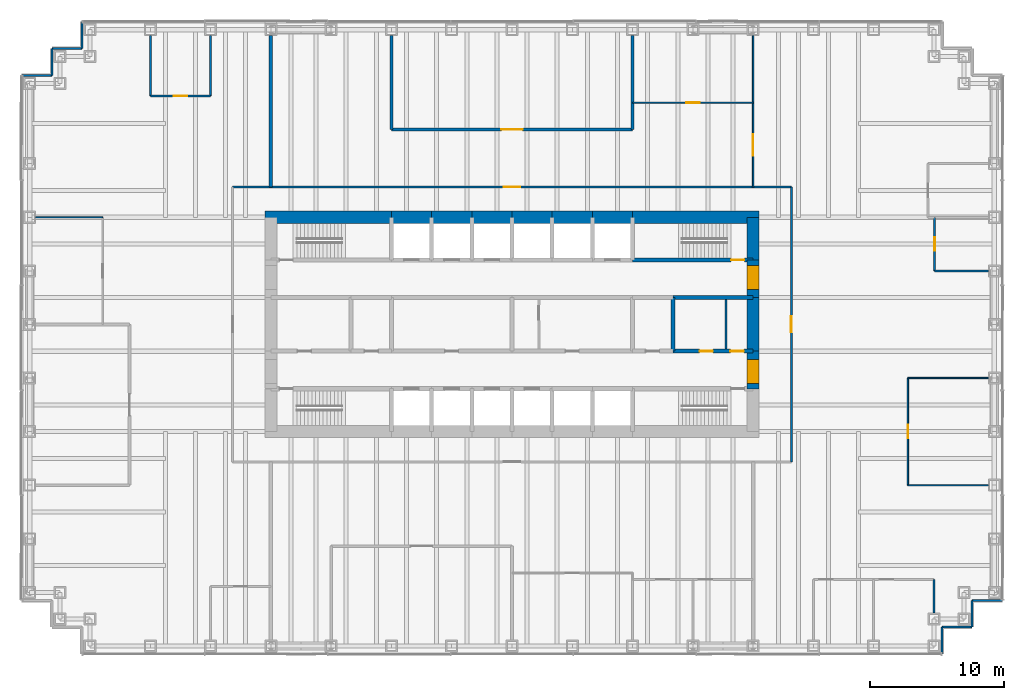
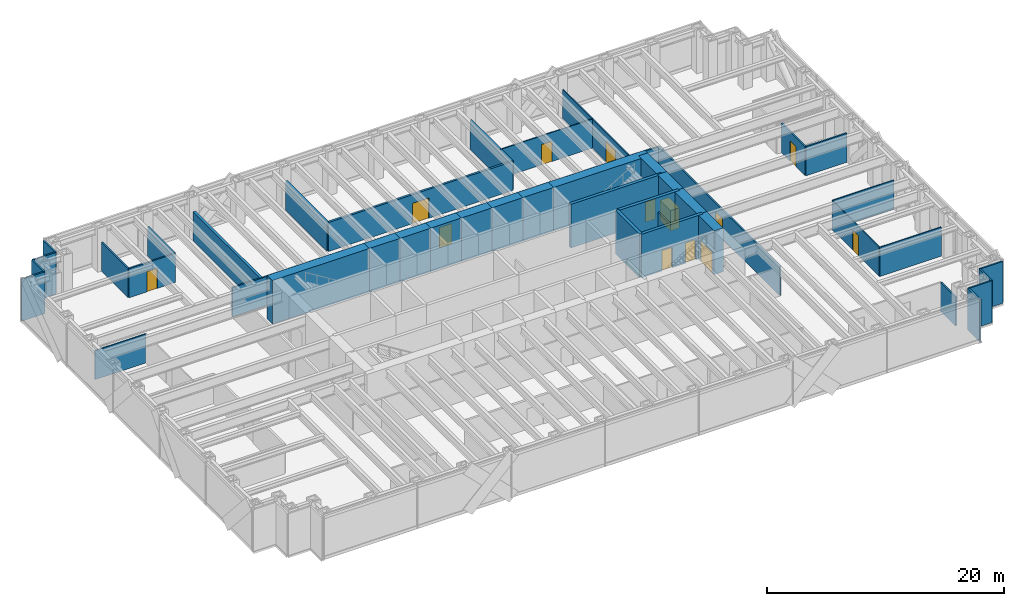
# One storey, part 11 of 13: 43 walls, 13 doors, 13 openings.
"""IFC4 building model written with IfcOpenShell, lengths in metres."""

from ifc_helpers import new_model, si_unit, direction, frame, frame_2d, origin, place, context, subcontext, project, spatial, rectangle, extrude, material, layer, layer_set, type_object, element, fill, save


model = new_model("IFC4")

# Units and contexts
model_context = context("Model", 3, precision=1e-05, world=origin(), true_north=direction((0.0, 1.0)))
body_context = subcontext(model_context, "Body", "Model", "MODEL_VIEW")
ifc_project = project(units=[si_unit("LENGTHUNIT", "METRE"), si_unit("AREAUNIT", "SQUARE_METRE"), si_unit("VOLUMEUNIT", "CUBIC_METRE"), si_unit("PLANEANGLEUNIT", "RADIAN"), si_unit("MASSUNIT", "GRAM", prefix="KILO")], contexts=[model_context])

# Site, building, storey
site_placement = place(None, origin())
site = spatial("IfcSite", under=ifc_project, at=site_placement, CompositionType="ELEMENT")
building_placement = place(site_placement, origin())
building = spatial("IfcBuilding", under=site, at=building_placement, Name="Rheinbord Bourse Tower", CompositionType="ELEMENT")
storey_placement = place(building_placement, frame((0.0, 0.0, 77.0)))
storey = spatial("IfcBuildingStorey", under=building, at=storey_placement, Name="L16", CompositionType="ELEMENT", Elevation=77.0)

# Wall, opening, door
ifc_material_1 = material(Name="Acoustic gypsum board partition", Category="gypsum board")
ifc_layer_1 = layer(ifc_material_1, 0.199951171875)
ifc_layer_set_1 = layer_set([ifc_layer_1], Name="ACOUSTIC PARTITION 200")
wall_type_1 = type_object("IfcWallType", Name="ACOUSTIC PARTITION 200", PredefinedType="PARTITIONING", material=ifc_layer_set_1)
wall_1_placement = place(storey_placement, frame((27.0, 38.550048828125, 0.0), z_axis=(0.0, 0.0, 1.0), x_axis=(1.0, 0.0, 0.0)))
wall_1 = element("IfcWall", 1, at=wall_1_placement, inside=storey, type_object=wall_type_1, Name="Partition L16-18", PredefinedType="PARTITIONING", context=body_context, shape_type="SweptSolid", body=[
    extrude(rectangle(XDim=18.0, YDim=0.199951171875, at=frame_2d((9.0, 0.0))), origin(), (0.0, 0.0, 1.0), 3.0),
])
opening_1_placement = place(wall_1_placement, frame((8.199951171875, 0.0, 0.0)))
opening_1 = element("IfcOpeningElement", 2, at=opening_1_placement, cuts=wall_1, Name="Opening 16D13", PredefinedType="OPENING", context=body_context, shape_type="SweptSolid", body=[
    extrude(rectangle(XDim=1.60009765625, YDim=2.10009765625, at=frame_2d((0.800048828125, 1.050048828125))), frame((0.0, 0.10986328125, 0.0), z_axis=(0.0, -1.0, 0.0), x_axis=(1.0, 0.0, 0.0)), (0.0, 0.0, 1.0), 0.219970703125),
])
ifc_material_2 = material(Name="Timber door", Category="wood")
door_type_1 = type_object("IfcDoorType", Name="DOUBLE ROOM DOOR 1600", OperationType="DOUBLE_DOOR_DOUBLE_SWING", PredefinedType="DOOR", material=ifc_material_2)
door_1_placement = place(opening_1_placement, origin())
door_1 = element("IfcDoor", 3, at=door_1_placement, inside=storey, type_object=door_type_1, Name="Trading room door L16", OperationType="SINGLE_SWING_LEFT", OverallHeight=2.10009765625, OverallWidth=1.60009765625, PredefinedType="DOOR", context=body_context, shape_type="SweptSolid", body=[
    extrude(rectangle(XDim=1.60009765625, YDim=2.10009765625, at=frame_2d((0.800048828125, 1.050048828125))), frame((0.0, 0.02490234375, 0.0), z_axis=(0.0, -1.0, 0.0), x_axis=(1.0, 0.0, 0.0)), (0.0, 0.0, 1.0), 0.050048828125),
])
fill(opening_1, door_1)

# Walls
for number, where, z_axis, x_axis, name in (
    (4, (27.0, 38.550048828125, 0.0), (0.0, 0.0, 1.0), (0.0, 1.0, 0.0), "Partition L16-30"),
    (5, (45.0, 38.550048828125, 0.0), (0.0, 0.0, 1.0), (0.0, 1.0, 0.0), "Partition L16-34"),
):
    element("IfcWall", number, at=place(storey_placement, frame(where, z_axis=z_axis, x_axis=x_axis)), inside=storey, type_object=wall_type_1, Name=name, PredefinedType="PARTITIONING", context=body_context, shape_type="SweptSolid", body=[
        extrude(rectangle(XDim=7.0, YDim=0.199951171875, at=frame_2d((3.5, 0.0))), origin(), (0.0, 0.0, 1.0), 3.0),
    ])

# Wall, opening, door
ifc_material_3 = material(Name="Concrete C50/60", Category="concrete")
ifc_layer_2 = layer(ifc_material_3, 0.300048828125)
ifc_layer_set_2 = layer_set([ifc_layer_2], Name="CORE INNER WALL 300")
wall_type_2 = type_object("IfcWallType", Name="CORE INNER WALL 300", PredefinedType="SOLIDWALL", material=ifc_layer_set_2)
wall_2_placement = place(storey_placement, frame((45.0, 28.800048828125, 0.0), z_axis=(0.0, 0.0, 1.0), x_axis=(1.0, 0.0, 0.0)))
wall_2 = element("IfcWall", 6, at=wall_2_placement, inside=storey, type_object=wall_type_2, Name="Core wall B8 L16", PredefinedType="SOLIDWALL", context=body_context, shape_type="SweptSolid", body=[
    extrude(rectangle(XDim=9.0, YDim=0.300048828125, at=frame_2d((4.5, 0.0))), origin(), (0.0, 0.0, 1.0), 4.5),
])
opening_2_placement = place(wall_2_placement, frame((7.35009765625, 0.0, 0.0)))
opening_2 = element("IfcOpeningElement", 7, at=opening_2_placement, cuts=wall_2, Name="Opening 1640", PredefinedType="OPENING", context=body_context, shape_type="SweptSolid", body=[
    extrude(rectangle(XDim=1.0, YDim=2.10009765625, at=frame_2d((0.5, 1.050048828125))), frame((0.0, 0.159912109375, 0.0), z_axis=(0.0, -1.0, 0.0), x_axis=(1.0, 0.0, 0.0)), (0.0, 0.0, 1.0), 0.320068359375),
])
ifc_material_4 = material(Name="Steel door", Category="steel")
door_type_2 = type_object("IfcDoorType", Name="DOOR 1000 EI30", OperationType="SINGLE_SWING_LEFT", PredefinedType="DOOR", material=ifc_material_4)
door_2_placement = place(opening_2_placement, origin())
door_2 = element("IfcDoor", 8, at=door_2_placement, inside=storey, type_object=door_type_2, Name="Stair door ST4 L16", OperationType="SINGLE_SWING_RIGHT", OverallHeight=2.10009765625, OverallWidth=1.0, PredefinedType="DOOR", context=body_context, shape_type="SweptSolid", body=[
    extrude(rectangle(XDim=1.0, YDim=2.10009765625, at=frame_2d((0.5, 1.050048828125))), frame((0.0, 0.02490234375, 0.0), z_axis=(0.0, -1.0, 0.0), x_axis=(1.0, 0.0, 0.0)), (0.0, 0.0, 1.0), 0.050048828125),
])
fill(opening_2, door_2)

# Wall, openings, doors
wall_3_placement = place(storey_placement, frame((48.0, 22.0, 0.0), z_axis=(0.0, 0.0, 1.0), x_axis=(1.0, 0.0, 0.0)))
wall_3 = element("IfcWall", 9, at=wall_3_placement, inside=storey, type_object=wall_type_2, Name="Core wall C6 L16", PredefinedType="SOLIDWALL", context=body_context, shape_type="SweptSolid", body=[
    extrude(rectangle(XDim=6.0, YDim=0.300048828125, at=frame_2d((3.0, 0.0))), origin(), (0.0, 0.0, 1.0), 4.5),
])
opening_3_placement = place(wall_3_placement, frame((2.0, 0.0, 0.0)))
opening_3 = element("IfcOpeningElement", 10, at=opening_3_placement, cuts=wall_3, Name="Opening 16R6", PredefinedType="OPENING", context=body_context, shape_type="SweptSolid", body=[
    extrude(rectangle(XDim=1.0, YDim=2.10009765625, at=frame_2d((0.5, 1.050048828125))), frame((0.0, 0.159912109375, 0.0), z_axis=(0.0, -1.0, 0.0), x_axis=(1.0, 0.0, 0.0)), (0.0, 0.0, 1.0), 0.320068359375),
])
opening_4_placement = place(wall_3_placement, frame((4.300048828125, 0.0, 0.0)))
opening_4 = element("IfcOpeningElement", 11, at=opening_4_placement, cuts=wall_3, Name="Opening 16R10", PredefinedType="OPENING", context=body_context, shape_type="SweptSolid", body=[
    extrude(rectangle(XDim=1.0, YDim=2.10009765625, at=frame_2d((0.5, 1.050048828125))), frame((0.0, 0.159912109375, 0.0), z_axis=(0.0, -1.0, 0.0), x_axis=(1.0, 0.0, 0.0)), (0.0, 0.0, 1.0), 0.320068359375),
])
door_3_placement = place(opening_4_placement, origin())
door_3 = element("IfcDoor", 12, at=door_3_placement, inside=storey, type_object=door_type_2, Name="Cleaner's store door L16", OperationType="SINGLE_SWING_RIGHT", OverallHeight=2.10009765625, OverallWidth=1.0, PredefinedType="DOOR", context=body_context, shape_type="SweptSolid", body=[
    extrude(rectangle(XDim=1.0, YDim=2.10009765625, at=frame_2d((0.5, 1.050048828125))), frame((0.0, 0.02490234375, 0.0), z_axis=(0.0, -1.0, 0.0), x_axis=(1.0, 0.0, 0.0)), (0.0, 0.0, 1.0), 0.050048828125),
])
fill(opening_4, door_3)
ifc_material_5 = material(Name="Timber door", Category="wood")
door_type_3 = type_object("IfcDoorType", Name="DOOR 1000 WC", OperationType="SINGLE_SWING_LEFT", PredefinedType="DOOR", material=ifc_material_5)
door_4_placement = place(opening_3_placement, origin())
door_4 = element("IfcDoor", 13, at=door_4_placement, inside=storey, type_object=door_type_3, Name="WC women door L16", OperationType="SINGLE_SWING_LEFT", OverallHeight=2.10009765625, OverallWidth=1.0, PredefinedType="DOOR", context=body_context, shape_type="SweptSolid", body=[
    extrude(rectangle(XDim=1.0, YDim=2.10009765625, at=frame_2d((0.5, 1.050048828125))), frame((0.0, 0.02490234375, 0.0), z_axis=(0.0, -1.0, 0.0), x_axis=(1.0, 0.0, 0.0)), (0.0, 0.0, 1.0), 0.050048828125),
])
fill(opening_3, door_4)

# Walls
wall_4_placement = place(storey_placement, frame((48.0, 26.0, 0.0), z_axis=(0.0, 0.0, 1.0), x_axis=(1.0, 0.0, 0.0)))
element("IfcWall", 14, at=wall_4_placement, inside=storey, type_object=wall_type_2, Name="Core wall D6 L16", PredefinedType="SOLIDWALL", context=body_context, shape_type="SweptSolid", body=[
    extrude(rectangle(XDim=6.0, YDim=0.300048828125, at=frame_2d((3.0, 0.0))), origin(), (0.0, 0.0, 1.0), 4.5),
])
wall_5_placement = place(storey_placement, frame((48.0, 22.0, 0.0), z_axis=(0.0, 0.0, 1.0), x_axis=(0.0, 1.0, 0.0)))
element("IfcWall", 15, at=wall_5_placement, inside=storey, type_object=wall_type_2, Name="Core wall MX48 L16", PredefinedType="SOLIDWALL", context=body_context, shape_type="SweptSolid", body=[
    extrude(rectangle(XDim=4.0, YDim=0.300048828125, at=frame_2d((2.0, 0.0))), origin(), (0.0, 0.0, 1.0), 4.5),
])
ifc_material_6 = material(Name="Gypsum board fire partition", Category="gypsum board")
ifc_layer_3 = layer(ifc_material_6, 0.14990234375)
ifc_layer_set_3 = layer_set([ifc_layer_3], Name="CORE PARTITION 150 EI30")
wall_type_3 = type_object("IfcWallType", Name="CORE PARTITION 150 EI30", PredefinedType="PARTITIONING", material=ifc_layer_set_3)
wall_6_placement = place(storey_placement, frame((51.97509765625, 22.14990234375, 0.0), z_axis=(0.0, 0.0, 1.0), x_axis=(0.0, 1.0, 0.0)))
element("IfcWall", 16, at=wall_6_placement, inside=storey, type_object=wall_type_3, Name="Core partition L16-3", PredefinedType="PARTITIONING", context=body_context, shape_type="SweptSolid", body=[
    extrude(rectangle(XDim=3.7001953125, YDim=0.14990234375, at=frame_2d((1.85009765625, 0.0))), origin(), (0.0, 0.0, 1.0), 3.0),
])
ifc_material_7 = material(Name="Concrete C50/60", Category="concrete")
ifc_layer_4 = layer(ifc_material_7, 0.89990234375)
ifc_layer_set_4 = layer_set([ifc_layer_4], Name="CORE WALL 900")
wall_type_4 = type_object("IfcWallType", Name="CORE WALL 900", PredefinedType="SHEAR", material=ifc_layer_set_4)
wall_7_placement = place(storey_placement, frame((54.449951171875, 32.0, 0.0), z_axis=(0.0, 0.0, 1.0), x_axis=(-1.0, 0.0, 0.0)))
element("IfcWall", 17, at=wall_7_placement, inside=storey, type_object=wall_type_4, Name="Core wall N1 L16", PredefinedType="SHEAR", context=body_context, shape_type="SweptSolid", body=[
    extrude(rectangle(XDim=9.449951171875, YDim=0.89990234375, at=frame_2d((4.72509765625, 0.0))), origin(), (0.0, 0.0, 1.0), 4.5),
])
for number, where, z_axis, x_axis, name in (
    (18, (45.0, 32.0, 0.0), (0.0, 0.0, 1.0), (-1.0, 0.0, 0.0), "Core wall N2 L16"),
    (19, (42.0, 32.0, 0.0), (0.0, 0.0, 1.0), (-1.0, 0.0, 0.0), "Core wall N3 L16"),
    (20, (39.0, 32.0, 0.0), (0.0, 0.0, 1.0), (-1.0, 0.0, 0.0), "Core wall N4 L16"),
    (21, (36.0, 32.0, 0.0), (0.0, 0.0, 1.0), (-1.0, 0.0, 0.0), "Core wall N5 L16"),
    (22, (33.0, 32.0, 0.0), (0.0, 0.0, 1.0), (-1.0, 0.0, 0.0), "Core wall N6 L16"),
    (23, (30.0, 32.0, 0.0), (0.0, 0.0, 1.0), (-1.0, 0.0, 0.0), "Core wall N7 L16"),
):
    element("IfcWall", number, at=place(storey_placement, frame(where, z_axis=z_axis, x_axis=x_axis)), inside=storey, type_object=wall_type_4, Name=name, PredefinedType="SHEAR", context=body_context, shape_type="SweptSolid", body=[
        extrude(rectangle(XDim=3.0, YDim=0.89990234375, at=frame_2d((1.5, 0.0))), origin(), (0.0, 0.0, 1.0), 4.5),
    ])
wall_8_placement = place(storey_placement, frame((27.0, 32.0, 0.0), z_axis=(0.0, 0.0, 1.0), x_axis=(-1.0, 0.0, 0.0)))
element("IfcWall", 24, at=wall_8_placement, inside=storey, type_object=wall_type_4, Name="Core wall N8 L16", PredefinedType="SHEAR", context=body_context, shape_type="SweptSolid", body=[
    extrude(rectangle(XDim=9.449951171875, YDim=0.89990234375, at=frame_2d((4.72509765625, 0.0))), origin(), (0.0, 0.0, 1.0), 4.5),
])

# Wall, opening, door
wall_9_placement = place(storey_placement, frame((54.0, 19.199951171875, 0.0), z_axis=(0.0, 0.0, 1.0), x_axis=(0.0, 1.0, 0.0)))
wall_9 = element("IfcWall", 25, at=wall_9_placement, inside=storey, type_object=wall_type_4, Name="Core wall E2 L16", PredefinedType="SHEAR", context=body_context, shape_type="SweptSolid", body=[
    extrude(rectangle(XDim=2.800048828125, YDim=0.89990234375, at=frame_2d((1.39990234375, 0.0))), origin(), (0.0, 0.0, 1.0), 4.5),
])
opening_5_placement = place(wall_9_placement, frame((0.39990234375, 0.0, 0.0)))
opening_5 = element("IfcOpeningElement", 26, at=opening_5_placement, cuts=wall_9, Name="Opening 16L3", PredefinedType="OPENING", context=body_context, shape_type="SweptSolid", body=[
    extrude(rectangle(XDim=1.800048828125, YDim=2.10009765625, at=frame_2d((0.89990234375, 1.050048828125))), frame((0.0, 0.4599609375, 0.0), z_axis=(0.0, -1.0, 0.0), x_axis=(1.0, 0.0, 0.0)), (0.0, 0.0, 1.0), 0.919921875),
])
ifc_material_8 = material(Name="Steel door", Category="steel")
door_type_4 = type_object("IfcDoorType", Name="DOOR 1800 EI30 DOUBLE", OperationType="DOUBLE_DOOR_DOUBLE_SWING", PredefinedType="DOOR", material=ifc_material_8)
door_5_placement = place(opening_5_placement, origin())
door_5 = element("IfcDoor", 27, at=door_5_placement, inside=storey, type_object=door_type_4, Name="Lobby door 3 L16", OperationType="SINGLE_SWING_LEFT", OverallHeight=2.10009765625, OverallWidth=1.800048828125, PredefinedType="DOOR", context=body_context, shape_type="SweptSolid", body=[
    extrude(rectangle(XDim=1.800048828125, YDim=2.10009765625, at=frame_2d((0.89990234375, 1.050048828125))), frame((0.0, 0.44970703125, 0.0), z_axis=(0.0, -1.0, 0.0), x_axis=(1.0, 0.0, 0.0)), (0.0, 0.0, 1.0), 0.8994140625),
])
fill(opening_5, door_5)

# Wall
wall_10_placement = place(storey_placement, frame((54.0, 22.0, 0.0), z_axis=(0.0, 0.0, 1.0), x_axis=(0.0, 1.0, 0.0)))
element("IfcWall", 28, at=wall_10_placement, inside=storey, type_object=wall_type_4, Name="Core wall E3 L16", PredefinedType="SHEAR", context=body_context, shape_type="SweptSolid", body=[
    extrude(rectangle(XDim=4.0, YDim=0.89990234375, at=frame_2d((2.0, 0.0))), origin(), (0.0, 0.0, 1.0), 4.5),
])

# Wall, opening, door
wall_11_placement = place(storey_placement, frame((54.0, 26.0, 0.0), z_axis=(0.0, 0.0, 1.0), x_axis=(0.0, 1.0, 0.0)))
wall_11 = element("IfcWall", 29, at=wall_11_placement, inside=storey, type_object=wall_type_4, Name="Core wall E4 L16", PredefinedType="SHEAR", context=body_context, shape_type="SweptSolid", body=[
    extrude(rectangle(XDim=2.800048828125, YDim=0.89990234375, at=frame_2d((1.39990234375, 0.0))), origin(), (0.0, 0.0, 1.0), 4.5),
])
opening_6_placement = place(wall_11_placement, frame((0.60009765625, 0.0, 0.0)))
opening_6 = element("IfcOpeningElement", 30, at=opening_6_placement, cuts=wall_11, Name="Opening 16L4", PredefinedType="OPENING", context=body_context, shape_type="SweptSolid", body=[
    extrude(rectangle(XDim=1.800048828125, YDim=2.10009765625, at=frame_2d((0.89990234375, 1.050048828125))), frame((0.0, 0.4599609375, 0.0), z_axis=(0.0, -1.0, 0.0), x_axis=(1.0, 0.0, 0.0)), (0.0, 0.0, 1.0), 0.919921875),
])
door_6_placement = place(opening_6_placement, origin())
door_6 = element("IfcDoor", 31, at=door_6_placement, inside=storey, type_object=door_type_4, Name="Lobby door 4 L16", OperationType="SINGLE_SWING_LEFT", OverallHeight=2.10009765625, OverallWidth=1.800048828125, PredefinedType="DOOR", context=body_context, shape_type="SweptSolid", body=[
    extrude(rectangle(XDim=1.800048828125, YDim=2.10009765625, at=frame_2d((0.89990234375, 1.050048828125))), frame((0.0, 0.44970703125, 0.0), z_axis=(0.0, -1.0, 0.0), x_axis=(1.0, 0.0, 0.0)), (0.0, 0.0, 1.0), 0.8994140625),
])
fill(opening_6, door_6)

# Walls
wall_12_placement = place(storey_placement, frame((54.0, 28.800048828125, 0.0), z_axis=(0.0, 0.0, 1.0), x_axis=(0.0, 1.0, 0.0)))
element("IfcWall", 32, at=wall_12_placement, inside=storey, type_object=wall_type_4, Name="Core wall E5 L16", PredefinedType="SHEAR", context=body_context, shape_type="SweptSolid", body=[
    extrude(rectangle(XDim=3.199951171875, YDim=0.89990234375, at=frame_2d((1.60009765625, 0.0))), origin(), (0.0, 0.0, 1.0), 4.5),
])
ifc_material_9 = material(Name="Black metal rainscreen panel", Category="aluminium")
ifc_layer_5 = layer(ifc_material_9, 0.14990234375)
ifc_layer_set_5 = layer_set([ifc_layer_5], Name="CORNER PIER CLADDING 150")
wall_type_5 = type_object("IfcWallType", Name="CORNER PIER CLADDING 150", PredefinedType="ELEMENTEDWALL", material=ifc_layer_set_5)
wall_13_placement = place(storey_placement, frame((68.10009765625, -0.60009765625, 0.0), z_axis=(0.0, 0.0, 1.0), x_axis=(0.0, 1.0, 0.0)))
element("IfcWall", 33, at=wall_13_placement, inside=storey, type_object=wall_type_5, Name="Corner pier cladding L16 2", PredefinedType="ELEMENTEDWALL", context=body_context, shape_type="SweptSolid", body=[
    extrude(rectangle(XDim=2.0, YDim=0.14990234375, at=frame_2d((1.0, 0.0))), origin(), (0.0, 0.0, 1.0), 4.320068359375),
])
wall_14_placement = place(storey_placement, frame((68.10009765625, 1.39990234375, 0.0), z_axis=(0.0, 0.0, 1.0), x_axis=(1.0, 0.0, 0.0)))
element("IfcWall", 34, at=wall_14_placement, inside=storey, type_object=wall_type_5, Name="Corner pier cladding L16 3", PredefinedType="ELEMENTEDWALL", context=body_context, shape_type="SweptSolid", body=[
    extrude(rectangle(XDim=2.25, YDim=0.14990234375, at=frame_2d((1.125, 0.0))), origin(), (0.0, 0.0, 1.0), 4.320068359375),
])
wall_15_placement = place(storey_placement, frame((70.35009765625, 1.39990234375, 0.0), z_axis=(0.0, 0.0, 1.0), x_axis=(0.0, 1.0, 0.0)))
element("IfcWall", 35, at=wall_15_placement, inside=storey, type_object=wall_type_5, Name="Corner pier cladding L16 4", PredefinedType="ELEMENTEDWALL", context=body_context, shape_type="SweptSolid", body=[
    extrude(rectangle(XDim=2.0, YDim=0.14990234375, at=frame_2d((1.0, 0.0))), origin(), (0.0, 0.0, 1.0), 4.320068359375),
])
wall_16_placement = place(storey_placement, frame((70.35009765625, 3.39990234375, 0.0), z_axis=(0.0, 0.0, 1.0), x_axis=(1.0, 0.0, 0.0)))
element("IfcWall", 36, at=wall_16_placement, inside=storey, type_object=wall_type_5, Name="Corner pier cladding L16 5", PredefinedType="ELEMENTEDWALL", context=body_context, shape_type="SweptSolid", body=[
    extrude(rectangle(XDim=2.25, YDim=0.14990234375, at=frame_2d((1.125, 0.0))), origin(), (0.0, 0.0, 1.0), 4.320068359375),
])
wall_17_placement = place(storey_placement, frame((3.89990234375, 46.60009765625, 0.0), z_axis=(0.0, 0.0, 1.0), x_axis=(0.0, -1.0, 0.0)))
element("IfcWall", 37, at=wall_17_placement, inside=storey, type_object=wall_type_5, Name="Corner pier cladding L16 12", PredefinedType="ELEMENTEDWALL", context=body_context, shape_type="SweptSolid", body=[
    extrude(rectangle(XDim=2.0, YDim=0.14990234375, at=frame_2d((1.0, 0.0))), origin(), (0.0, 0.0, 1.0), 4.320068359375),
])
wall_18_placement = place(storey_placement, frame((3.89990234375, 44.60009765625, 0.0), z_axis=(0.0, 0.0, 1.0), x_axis=(-1.0, 0.0, 0.0)))
element("IfcWall", 38, at=wall_18_placement, inside=storey, type_object=wall_type_5, Name="Corner pier cladding L16 13", PredefinedType="ELEMENTEDWALL", context=body_context, shape_type="SweptSolid", body=[
    extrude(rectangle(XDim=2.25, YDim=0.14990234375, at=frame_2d((1.125, 0.0))), origin(), (0.0, 0.0, 1.0), 4.320068359375),
])
wall_19_placement = place(storey_placement, frame((1.64990234375, 44.60009765625, 0.0), z_axis=(0.0, 0.0, 1.0), x_axis=(0.0, -1.0, 0.0)))
element("IfcWall", 39, at=wall_19_placement, inside=storey, type_object=wall_type_5, Name="Corner pier cladding L16 14", PredefinedType="ELEMENTEDWALL", context=body_context, shape_type="SweptSolid", body=[
    extrude(rectangle(XDim=2.0, YDim=0.14990234375, at=frame_2d((1.0, 0.0))), origin(), (0.0, 0.0, 1.0), 4.320068359375),
])
wall_20_placement = place(storey_placement, frame((1.64990234375, 42.60009765625, 0.0), z_axis=(0.0, 0.0, 1.0), x_axis=(-1.0, 0.0, 0.0)))
element("IfcWall", 40, at=wall_20_placement, inside=storey, type_object=wall_type_5, Name="Corner pier cladding L16 15", PredefinedType="ELEMENTEDWALL", context=body_context, shape_type="SweptSolid", body=[
    extrude(rectangle(XDim=2.25, YDim=0.14990234375, at=frame_2d((1.125, 0.0))), origin(), (0.0, 0.0, 1.0), 4.320068359375),
])

# Wall, opening, door
ifc_material_10 = material(Name="Gypsum board corridor partition", Category="gypsum board")
ifc_layer_6 = layer(ifc_material_10, 0.14990234375)
ifc_layer_set_6 = layer_set([ifc_layer_6], Name="CORRIDOR PARTITION 150 EI30")
wall_type_6 = type_object("IfcWallType", Name="CORRIDOR PARTITION 150 EI30", PredefinedType="PARTITIONING", material=ifc_layer_set_6)
wall_21_placement = place(storey_placement, frame((15.14990234375, 34.25, 0.0), z_axis=(0.0, 0.0, 1.0), x_axis=(1.0, 0.0, 0.0)))
wall_21 = element("IfcWall", 41, at=wall_21_placement, inside=storey, type_object=wall_type_6, Name="Partition L16-16", PredefinedType="PARTITIONING", context=body_context, shape_type="SweptSolid", body=[
    extrude(rectangle(XDim=41.7001953125, YDim=0.14990234375, at=frame_2d((20.85009765625, 0.0))), origin(), (0.0, 0.0, 1.0), 3.0),
])
opening_7_placement = place(wall_21_placement, frame((20.25, 0.0, 0.0)))
opening_7 = element("IfcOpeningElement", 42, at=opening_7_placement, cuts=wall_21, Name="Opening 16D19", PredefinedType="OPENING", context=body_context, shape_type="SweptSolid", body=[
    extrude(rectangle(XDim=1.199951171875, YDim=2.10009765625, at=frame_2d((0.60009765625, 1.050048828125))), frame((0.0, 0.0849609375, 0.0), z_axis=(0.0, -1.0, 0.0), x_axis=(1.0, 0.0, 0.0)), (0.0, 0.0, 1.0), 0.169921875),
])
ifc_material_11 = material(Name="Timber fire door", Category="wood")
door_type_5 = type_object("IfcDoorType", Name="SUITE ENTRANCE DOOR 1200 EI30", OperationType="SINGLE_SWING_LEFT", PredefinedType="DOOR", material=ifc_material_11)
door_7_placement = place(opening_7_placement, origin())
door_7 = element("IfcDoor", 43, at=door_7_placement, inside=storey, type_object=door_type_5, Name="Suite entrance 3 door L16", OperationType="SINGLE_SWING_LEFT", OverallHeight=2.10009765625, OverallWidth=1.199951171875, PredefinedType="DOOR", context=body_context, shape_type="SweptSolid", body=[
    extrude(rectangle(XDim=1.199951171875, YDim=2.10009765625, at=frame_2d((0.60009765625, 1.050048828125))), frame((0.0, 0.02490234375, 0.0), z_axis=(0.0, -1.0, 0.0), x_axis=(1.0, 0.0, 0.0)), (0.0, 0.0, 1.0), 0.050048828125),
])
fill(opening_7, door_7)

wall_22_placement = place(storey_placement, frame((56.85009765625, 13.75, 0.0), z_axis=(0.0, 0.0, 1.0), x_axis=(0.0, 1.0, 0.0)))
wall_22 = element("IfcWall", 44, at=wall_22_placement, inside=storey, type_object=wall_type_6, Name="Partition L16-38", PredefinedType="PARTITIONING", context=body_context, shape_type="SweptSolid", body=[
    extrude(rectangle(XDim=20.5, YDim=0.14990234375, at=frame_2d((10.25, 0.0))), origin(), (0.0, 0.0, 1.0), 3.0),
])
opening_8_placement = place(wall_22_placement, frame((9.64990234375, 0.0, 0.0)))
opening_8 = element("IfcOpeningElement", 45, at=opening_8_placement, cuts=wall_22, Name="Opening 16D20", PredefinedType="OPENING", context=body_context, shape_type="SweptSolid", body=[
    extrude(rectangle(XDim=1.199951171875, YDim=2.10009765625, at=frame_2d((0.60009765625, 1.050048828125))), frame((0.0, 0.0849609375, 0.0), z_axis=(0.0, -1.0, 0.0), x_axis=(1.0, 0.0, 0.0)), (0.0, 0.0, 1.0), 0.169921875),
])
door_8_placement = place(opening_8_placement, origin())
door_8 = element("IfcDoor", 46, at=door_8_placement, inside=storey, type_object=door_type_5, Name="Suite entrance 4 door L16", OperationType="SINGLE_SWING_LEFT", OverallHeight=2.10009765625, OverallWidth=1.199951171875, PredefinedType="DOOR", context=body_context, shape_type="SweptSolid", body=[
    extrude(rectangle(XDim=1.199951171875, YDim=2.10009765625, at=frame_2d((0.60009765625, 1.050048828125))), frame((0.0, 0.02490234375, 0.0), z_axis=(0.0, -1.0, 0.0), x_axis=(1.0, 0.0, 0.0)), (0.0, 0.0, 1.0), 0.050048828125),
])
fill(opening_8, door_8)

# Walls
ifc_material_12 = material(Name="Gypsum board tenancy wall", Category="gypsum board")
ifc_layer_7 = layer(ifc_material_12, 0.25)
ifc_layer_set_7 = layer_set([ifc_layer_7], Name="DEMISING PARTITION 250 EI60")
wall_type_7 = type_object("IfcWallType", Name="DEMISING PARTITION 250 EI60", PredefinedType="PARTITIONING", material=ifc_layer_set_7)
wall_23_placement = place(storey_placement, frame((18.0, 34.25, 0.0), z_axis=(0.0, 0.0, 1.0), x_axis=(0.0, 1.0, 0.0)))
element("IfcWall", 47, at=wall_23_placement, inside=storey, type_object=wall_type_7, Name="Partition L16-28", PredefinedType="PARTITIONING", context=body_context, shape_type="SweptSolid", body=[
    extrude(rectangle(XDim=11.300048828125, YDim=0.25, at=frame_2d((5.64990234375, 0.0))), origin(), (0.0, 0.0, 1.0), 3.0),
])
ifc_material_13 = material(Name="Gypsum board fire partition", Category="gypsum board")
ifc_layer_8 = layer(ifc_material_13, 0.14990234375)
ifc_layer_set_8 = layer_set([ifc_layer_8], Name="FIRE PARTITION 150 EI60")
wall_type_8 = type_object("IfcWallType", Name="FIRE PARTITION 150 EI60", PredefinedType="PARTITIONING", material=ifc_layer_set_8)
wall_24_placement = place(storey_placement, frame((67.550048828125, 28.0, 0.0), z_axis=(0.0, 0.0, 1.0), x_axis=(1.0, 0.0, 0.0)))
element("IfcWall", 48, at=wall_24_placement, inside=storey, type_object=wall_type_8, Name="Partition L16-12", PredefinedType="PARTITIONING", context=body_context, shape_type="SweptSolid", body=[
    extrude(rectangle(XDim=4.0, YDim=0.14990234375, at=frame_2d((2.0, 0.0))), origin(), (0.0, 0.0, 1.0), 3.0),
])

# Wall, opening, door
wall_25_placement = place(storey_placement, frame((67.550048828125, 28.0, 0.0), z_axis=(0.0, 0.0, 1.0), x_axis=(0.0, 1.0, 0.0)))
wall_25 = element("IfcWall", 49, at=wall_25_placement, inside=storey, type_object=wall_type_8, Name="Partition L16-44", PredefinedType="PARTITIONING", context=body_context, shape_type="SweptSolid", body=[
    extrude(rectangle(XDim=4.0, YDim=0.14990234375, at=frame_2d((2.0, 0.0))), origin(), (0.0, 0.0, 1.0), 3.0),
])
opening_9_placement = place(wall_25_placement, frame((1.5, 0.0, 0.0)))
opening_9 = element("IfcOpeningElement", 50, at=opening_9_placement, cuts=wall_25, Name="Opening 16D11", PredefinedType="OPENING", context=body_context, shape_type="SweptSolid", body=[
    extrude(rectangle(XDim=1.0, YDim=2.10009765625, at=frame_2d((0.5, 1.050048828125))), frame((0.0, 0.0849609375, 0.0), z_axis=(0.0, -1.0, 0.0), x_axis=(1.0, 0.0, 0.0)), (0.0, 0.0, 1.0), 0.169921875),
])
ifc_material_14 = material(Name="Timber fire door", Category="wood")
door_type_6 = type_object("IfcDoorType", Name="FIRE DOOR 1000 EI60", OperationType="SINGLE_SWING_LEFT", PredefinedType="DOOR", material=ifc_material_14)
door_9_placement = place(opening_9_placement, origin())
door_9 = element("IfcDoor", 51, at=door_9_placement, inside=storey, type_object=door_type_6, Name="Comms room door L16", OperationType="SINGLE_SWING_LEFT", OverallHeight=2.10009765625, OverallWidth=1.0, PredefinedType="DOOR", context=body_context, shape_type="SweptSolid", body=[
    extrude(rectangle(XDim=1.0, YDim=2.10009765625, at=frame_2d((0.5, 1.050048828125))), frame((0.0, 0.02490234375, 0.0), z_axis=(0.0, -1.0, 0.0), x_axis=(1.0, 0.0, 0.0)), (0.0, 0.0, 1.0), 0.050048828125),
])
fill(opening_9, door_9)

# Walls
ifc_material_15 = material(Name="Toughened laminated glass partition", Category="glass")
ifc_layer_9 = layer(ifc_material_15, 0.10009765625)
ifc_layer_set_9 = layer_set([ifc_layer_9], Name="GLAZED PARTITION 100")
wall_type_9 = type_object("IfcWallType", Name="GLAZED PARTITION 100", PredefinedType="PARTITIONING", material=ifc_layer_set_9)
for number, where, z_axis, x_axis, name in (
    (52, (65.550048828125, 12.0, 0.0), (0.0, 0.0, 1.0), (1.0, 0.0, 0.0), "Partition L16-08"),
    (53, (65.550048828125, 20.0, 0.0), (0.0, 0.0, 1.0), (1.0, 0.0, 0.0), "Partition L16-10"),
):
    element("IfcWall", number, at=place(storey_placement, frame(where, z_axis=z_axis, x_axis=x_axis)), inside=storey, type_object=wall_type_9, Name=name, PredefinedType="PARTITIONING", context=body_context, shape_type="SweptSolid", body=[
        extrude(rectangle(XDim=6.0, YDim=0.10009765625, at=frame_2d((3.0, 0.0))), origin(), (0.0, 0.0, 1.0), 3.0),
    ])
wall_26_placement = place(storey_placement, frame((0.449951171875, 32.0, 0.0), z_axis=(0.0, 0.0, 1.0), x_axis=(1.0, 0.0, 0.0)))
element("IfcWall", 54, at=wall_26_placement, inside=storey, type_object=wall_type_9, Name="Partition L16-13", PredefinedType="PARTITIONING", context=body_context, shape_type="SweptSolid", body=[
    extrude(rectangle(XDim=5.0, YDim=0.10009765625, at=frame_2d((2.5, 0.0))), origin(), (0.0, 0.0, 1.0), 3.0),
])

# Wall, opening, door
wall_27_placement = place(storey_placement, frame((45.0, 40.550048828125, 0.0), z_axis=(0.0, 0.0, 1.0), x_axis=(1.0, 0.0, 0.0)))
wall_27 = element("IfcWall", 55, at=wall_27_placement, inside=storey, type_object=wall_type_9, Name="Partition L16-19", PredefinedType="PARTITIONING", context=body_context, shape_type="SweptSolid", body=[
    extrude(rectangle(XDim=9.0, YDim=0.10009765625, at=frame_2d((4.5, 0.0))), origin(), (0.0, 0.0, 1.0), 3.0),
])
opening_10_placement = place(wall_27_placement, frame((4.0, 0.0, 0.0)))
opening_10 = element("IfcOpeningElement", 56, at=opening_10_placement, cuts=wall_27, Name="Opening 16D14", PredefinedType="OPENING", context=body_context, shape_type="SweptSolid", body=[
    extrude(rectangle(XDim=1.0, YDim=2.10009765625, at=frame_2d((0.5, 1.050048828125))), frame((0.0, 0.06005859375, 0.0), z_axis=(0.0, -1.0, 0.0), x_axis=(1.0, 0.0, 0.0)), (0.0, 0.0, 1.0), 0.1201171875),
])
ifc_material_16 = material(Name="Timber door", Category="wood")
door_type_7 = type_object("IfcDoorType", Name="ROOM DOOR 1000", OperationType="SINGLE_SWING_LEFT", PredefinedType="DOOR", material=ifc_material_16)
door_10_placement = place(opening_10_placement, origin())
door_10 = element("IfcDoor", 57, at=door_10_placement, inside=storey, type_object=door_type_7, Name="Meeting room door L16", OperationType="SINGLE_SWING_LEFT", OverallHeight=2.10009765625, OverallWidth=1.0, PredefinedType="DOOR", context=body_context, shape_type="SweptSolid", body=[
    extrude(rectangle(XDim=1.0, YDim=2.10009765625, at=frame_2d((0.5, 1.050048828125))), frame((0.0, 0.02490234375, 0.0), z_axis=(0.0, -1.0, 0.0), x_axis=(1.0, 0.0, 0.0)), (0.0, 0.0, 1.0), 0.050048828125),
])
fill(opening_10, door_10)

wall_28_placement = place(storey_placement, frame((54.0, 34.25, 0.0), z_axis=(0.0, 0.0, 1.0), x_axis=(0.0, 1.0, 0.0)))
wall_28 = element("IfcWall", 58, at=wall_28_placement, inside=storey, type_object=wall_type_9, Name="Partition L16-37", PredefinedType="PARTITIONING", context=body_context, shape_type="SweptSolid", body=[
    extrude(rectangle(XDim=11.300048828125, YDim=0.10009765625, at=frame_2d((5.64990234375, 0.0))), origin(), (0.0, 0.0, 1.0), 3.0),
])
opening_11_placement = place(wall_28_placement, frame((2.35009765625, 0.0, 0.0)))
opening_11 = element("IfcOpeningElement", 59, at=opening_11_placement, cuts=wall_28, Name="Opening 16D16", PredefinedType="OPENING", context=body_context, shape_type="SweptSolid", body=[
    extrude(rectangle(XDim=1.60009765625, YDim=2.10009765625, at=frame_2d((0.800048828125, 1.050048828125))), frame((0.0, 0.06005859375, 0.0), z_axis=(0.0, -1.0, 0.0), x_axis=(1.0, 0.0, 0.0)), (0.0, 0.0, 1.0), 0.1201171875),
])
door_11_placement = place(opening_11_placement, origin())
door_11 = element("IfcDoor", 60, at=door_11_placement, inside=storey, type_object=door_type_1, Name="Open area door L16", OperationType="SINGLE_SWING_LEFT", OverallHeight=2.10009765625, OverallWidth=1.60009765625, PredefinedType="DOOR", context=body_context, shape_type="SweptSolid", body=[
    extrude(rectangle(XDim=1.60009765625, YDim=2.10009765625, at=frame_2d((0.800048828125, 1.050048828125))), frame((0.0, 0.02490234375, 0.0), z_axis=(0.0, -1.0, 0.0), x_axis=(1.0, 0.0, 0.0)), (0.0, 0.0, 1.0), 0.050048828125),
])
fill(opening_11, door_11)

wall_29_placement = place(storey_placement, frame((65.550048828125, 12.0, 0.0), z_axis=(0.0, 0.0, 1.0), x_axis=(0.0, 1.0, 0.0)))
wall_29 = element("IfcWall", 61, at=wall_29_placement, inside=storey, type_object=wall_type_9, Name="Partition L16-41", PredefinedType="PARTITIONING", context=body_context, shape_type="SweptSolid", body=[
    extrude(rectangle(XDim=8.0, YDim=0.10009765625, at=frame_2d((4.0, 0.0))), origin(), (0.0, 0.0, 1.0), 3.0),
])
opening_12_placement = place(wall_29_placement, frame((3.5, 0.0, 0.0)))
opening_12 = element("IfcOpeningElement", 62, at=opening_12_placement, cuts=wall_29, Name="Opening 16D08", PredefinedType="OPENING", context=body_context, shape_type="SweptSolid", body=[
    extrude(rectangle(XDim=1.0, YDim=2.10009765625, at=frame_2d((0.5, 1.050048828125))), frame((0.0, 0.06005859375, 0.0), z_axis=(0.0, -1.0, 0.0), x_axis=(1.0, 0.0, 0.0)), (0.0, 0.0, 1.0), 0.1201171875),
])
door_12_placement = place(opening_12_placement, origin())
door_12 = element("IfcDoor", 63, at=door_12_placement, inside=storey, type_object=door_type_7, Name="Focus room door L16", OperationType="SINGLE_SWING_LEFT", OverallHeight=2.10009765625, OverallWidth=1.0, PredefinedType="DOOR", context=body_context, shape_type="SweptSolid", body=[
    extrude(rectangle(XDim=1.0, YDim=2.10009765625, at=frame_2d((0.5, 1.050048828125))), frame((0.0, 0.02490234375, 0.0), z_axis=(0.0, -1.0, 0.0), x_axis=(1.0, 0.0, 0.0)), (0.0, 0.0, 1.0), 0.050048828125),
])
fill(opening_12, door_12)

ifc_material_17 = material(Name="Gypsum board partition", Category="gypsum board")
ifc_layer_10 = layer(ifc_material_17, 0.14990234375)
ifc_layer_set_10 = layer_set([ifc_layer_10], Name="PARTITION 150")
wall_type_10 = type_object("IfcWallType", Name="PARTITION 150", PredefinedType="PARTITIONING", material=ifc_layer_set_10)
wall_30_placement = place(storey_placement, frame((9.0, 41.050048828125, 0.0), z_axis=(0.0, 0.0, 1.0), x_axis=(1.0, 0.0, 0.0)))
wall_30 = element("IfcWall", 64, at=wall_30_placement, inside=storey, type_object=wall_type_10, Name="Partition L16-20", PredefinedType="PARTITIONING", context=body_context, shape_type="SweptSolid", body=[
    extrude(rectangle(XDim=4.5, YDim=0.14990234375, at=frame_2d((2.25, 0.0))), origin(), (0.0, 0.0, 1.0), 3.0),
])
opening_13_placement = place(wall_30_placement, frame((1.75, 0.0, 0.0)))
opening_13 = element("IfcOpeningElement", 65, at=opening_13_placement, cuts=wall_30, Name="Opening 16D15", PredefinedType="OPENING", context=body_context, shape_type="SweptSolid", body=[
    extrude(rectangle(XDim=1.0, YDim=2.10009765625, at=frame_2d((0.5, 1.050048828125))), frame((0.0, 0.0849609375, 0.0), z_axis=(0.0, -1.0, 0.0), x_axis=(1.0, 0.0, 0.0)), (0.0, 0.0, 1.0), 0.169921875),
])
door_13_placement = place(opening_13_placement, origin())
door_13 = element("IfcDoor", 66, at=door_13_placement, inside=storey, type_object=door_type_7, Name="Pantry door L16", OperationType="SINGLE_SWING_LEFT", OverallHeight=2.10009765625, OverallWidth=1.0, PredefinedType="DOOR", context=body_context, shape_type="SweptSolid", body=[
    extrude(rectangle(XDim=1.0, YDim=2.10009765625, at=frame_2d((0.5, 1.050048828125))), frame((0.0, 0.02490234375, 0.0), z_axis=(0.0, -1.0, 0.0), x_axis=(1.0, 0.0, 0.0)), (0.0, 0.0, 1.0), 0.050048828125),
])
fill(opening_13, door_13)

# Walls
for number, where, z_axis, x_axis, name in (
    (67, (9.0, 41.050048828125, 0.0), (0.0, 0.0, 1.0), (0.0, 1.0, 0.0), "Partition L16-23"),
    (68, (13.5, 41.050048828125, 0.0), (0.0, 0.0, 1.0), (0.0, 1.0, 0.0), "Partition L16-25"),
):
    element("IfcWall", number, at=place(storey_placement, frame(where, z_axis=z_axis, x_axis=x_axis)), inside=storey, type_object=wall_type_10, Name=name, PredefinedType="PARTITIONING", context=body_context, shape_type="SweptSolid", body=[
        extrude(rectangle(XDim=4.5, YDim=0.14990234375, at=frame_2d((2.25, 0.0))), origin(), (0.0, 0.0, 1.0), 3.0),
    ])
wall_31_placement = place(storey_placement, frame((67.5, 2.449951171875, 0.0), z_axis=(0.0, 0.0, 1.0), x_axis=(0.0, 1.0, 0.0)))
element("IfcWall", 69, at=wall_31_placement, inside=storey, type_object=wall_type_10, Name="Partition L16-43", PredefinedType="PARTITIONING", context=body_context, shape_type="SweptSolid", body=[
    extrude(rectangle(XDim=2.5, YDim=0.14990234375, at=frame_2d((1.25, 0.0))), origin(), (0.0, 0.0, 1.0), 3.0),
])

save(model, "model.ifc")
